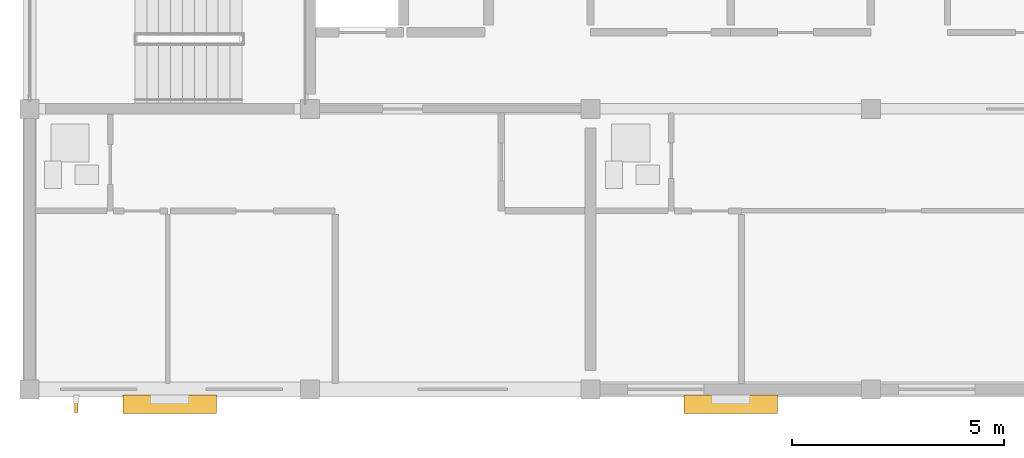
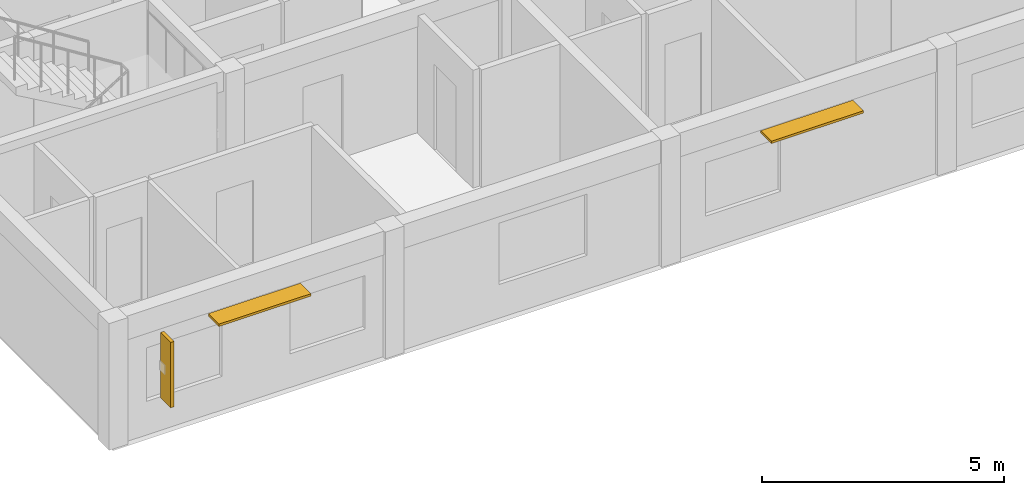
# One storey, part 19 of 22: 3 shading devices.
"""IFC4 building model written with IfcOpenShell, lengths in metres."""

from ifc_helpers import new_model, si_unit, direction, frame, origin, origin_2d, place, context, subcontext, project, spatial, rectangle, extrude, material, layer, layer_set, type_object, element, save


model = new_model("IFC4")

# Units and contexts
model_context = context("Model", 3, precision=1e-05, world=origin(), true_north=direction((0.0, 1.0)))
body_context = subcontext(model_context, "Body", "Model", "MODEL_VIEW")
ifc_project = project(units=[si_unit("LENGTHUNIT", "METRE"), si_unit("AREAUNIT", "SQUARE_METRE"), si_unit("VOLUMEUNIT", "CUBIC_METRE"), si_unit("PLANEANGLEUNIT", "RADIAN"), si_unit("MASSUNIT", "GRAM", prefix="KILO")], contexts=[model_context])

# Site, building, storey
site_placement = place(None, origin())
site = spatial("IfcSite", under=ifc_project, at=site_placement, CompositionType="ELEMENT")
building_placement = place(site_placement, origin())
building = spatial("IfcBuilding", under=site, at=building_placement, Name="Kernevlak Ridge Housing Community", CompositionType="ELEMENT")
storey_placement = place(building_placement, frame((0.0, 0.0, 43.60009765625)))
storey = spatial("IfcBuildingStorey", under=building, at=storey_placement, Name="L13", CompositionType="ELEMENT", Elevation=43.60009765625)

# Shading devices
ifc_material_1 = material(Name="Aluminium EN AW-6060 anodised", Category="aluminium")
ifc_layer = layer(ifc_material_1, 0.06005859375, Name="Aluminium EN AW-6060 anodised")
ifc_layer_set = layer_set([ifc_layer], Name="Aluminium EN AW-6060 anodised")
shading_device_type_1 = type_object("IfcShadingDeviceType", Name="LV-01", PredefinedType="JALOUSIE", material=ifc_layer_set)
for number, where, z_axis, x_axis, name in (
    (1, (18.89990234375, 75.64990234375, 2.489990234375), (0.0, 0.0, 1.0), (1.0, 0.0, 0.0), "Horizontal solar louvre 11"),
    (2, (32.10009765625, 75.64990234375, 2.489990234375), (0.0, 0.0, 1.0), (1.0, 0.0, 0.0), "Horizontal solar louvre 12"),
):
    element("IfcShadingDevice", number, at=place(storey_placement, frame(where, z_axis=z_axis, x_axis=x_axis)), inside=storey, type_object=shading_device_type_1, Name=name, PredefinedType="JALOUSIE", context=body_context, shape_type="SweptSolid", body=[
        extrude(rectangle(XDim=2.199951171875, YDim=0.43994140625, at=origin_2d()), origin(), (0.0, 0.0, 1.0), 0.06005859375),
    ])
ifc_material_2 = material(Name="Aluminium EN AW-6060 enamelled", Category="aluminium")
shading_device_type_2 = type_object("IfcShadingDeviceType", Name="LV-02", PredefinedType="USERDEFINED", material=ifc_material_2)
shading_device_placement = place(storey_placement, frame((16.699951171875, 75.659912109375, 0.824951171875), z_axis=(0.0, 0.0, 1.0), x_axis=(1.0, 0.0, 0.0)))
element("IfcShadingDevice", 3, at=shading_device_placement, inside=storey, type_object=shading_device_type_2, Name="De Stijl yellow vertical solar fin 11", ObjectType="LOUVRE", PredefinedType="USERDEFINED", context=body_context, shape_type="SweptSolid", body=[
    extrude(rectangle(XDim=0.080078125, YDim=0.419921875, at=origin_2d()), origin(), (0.0, 0.0, 1.0), 1.64990234375),
])

save(model, "model.ifc")
